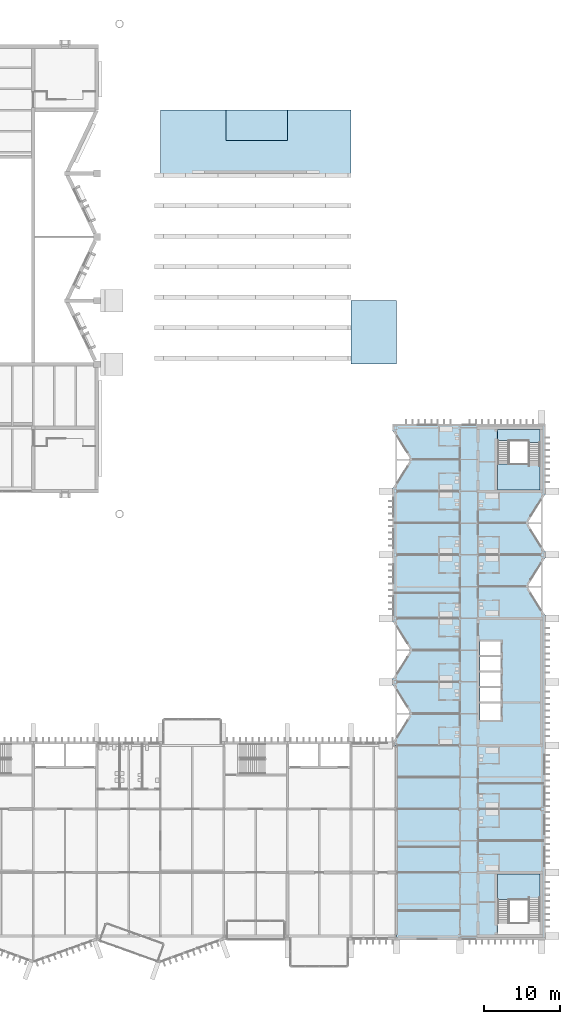
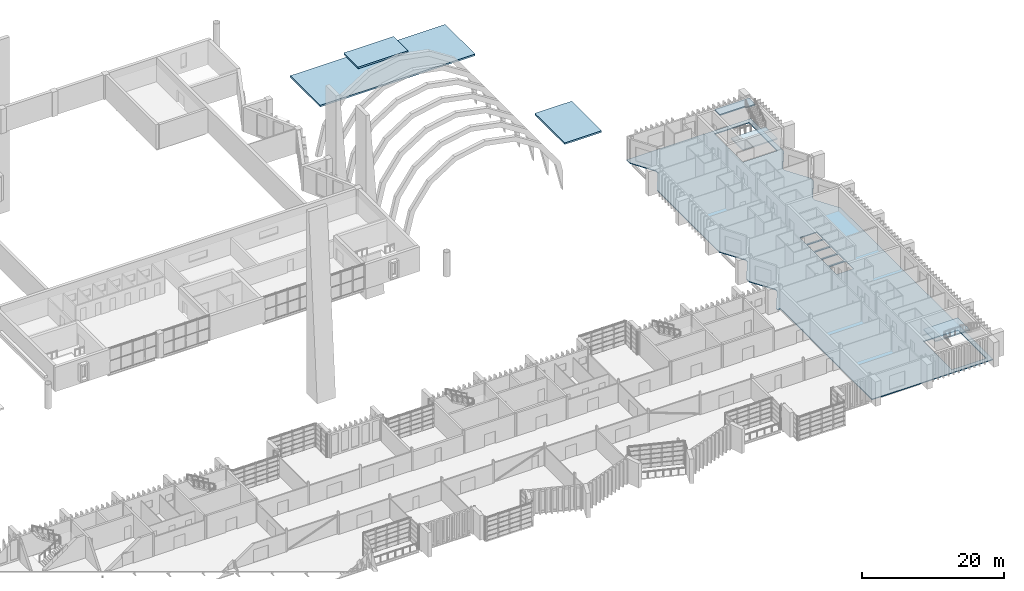
# One storey, part 52 of 88: 7 slabs, 2 elements without a shape of their own.
"""IFC4 building model written with IfcOpenShell, lengths in metres."""

import ifcopenshell
import ifcopenshell.guid

model = None  # the IFC model being written
_history = None  # IfcOwnerHistory: only IFC2X3 demands one
_inside = {}  # id of a spatial element -> (the spatial element, [elements in it])
_under = {}  # id of a project, library or spatial element -> (it, [spatial elements below it])
_declared = {}  # id of a project -> (the project, [libraries it declares])
_typed = {}  # id of a type object -> (the type object, [elements of that type])
_made_of = {}  # id of a material, layer set ... -> (it, [elements and type objects made of it])


def new_model(schema):
    """Start an empty IFC model of exactly this schema.

    Asked for "IFC4X3", IfcOpenShell would pick the latest addendum, in which some entities
    have other attributes; the version numbers below select the first issue.
    IFC2X3 requires an IfcOwnerHistory on every rooted entity: one is made here for all.
    """
    global model, _history
    if schema == "IFC4X3":
        model = ifcopenshell.file(schema_version=(4, 3, 0, 0))
    else:
        model = ifcopenshell.file(schema=schema)
    _inside.clear()
    _under.clear()
    _declared.clear()
    _typed.clear()
    _made_of.clear()
    _history = None
    if model.schema == "IFC2X3":
        org = make("IfcOrganization", Name="unknown")
        user = make(
            "IfcPersonAndOrganization",
            ThePerson=make("IfcPerson", FamilyName="unknown"),
            TheOrganization=org,
        )
        app = make(
            "IfcApplication",
            ApplicationDeveloper=org,
            Version="unknown",
            ApplicationFullName="unknown",
            ApplicationIdentifier="unknown",
        )
        _history = make(
            "IfcOwnerHistory",
            OwningUser=user,
            OwningApplication=app,
            ChangeAction="ADDED",
            CreationDate=0,
        )
    return model


def make(cls, **values):
    """One entity of the class cls with the attributes given. An attribute that is None is left unset."""
    return model.create_entity(
        cls, **{name: value for name, value in values.items() if value is not None}
    )


def rooted(cls, **values):
    """An entity with a GlobalId (a new one), such as an element, a storey or a relation."""
    return make(cls, GlobalId=ifcopenshell.guid.new(), OwnerHistory=_history, **values)


def si_unit(unit_type, name, prefix=None):
    """IfcSIUnit, for example si_unit("LENGTHUNIT", "METRE", prefix="MILLI")."""
    return make("IfcSIUnit", UnitType=unit_type, Prefix=prefix, Name=name)


def assignment(units):
    """IfcUnitAssignment: the units of a project."""
    return None if units is None else make("IfcUnitAssignment", Units=units)


def point(xyz):
    """IfcCartesianPoint."""
    return None if xyz is None else make("IfcCartesianPoint", Coordinates=xyz)


def direction(xyz):
    """IfcDirection."""
    return None if xyz is None else make("IfcDirection", DirectionRatios=xyz)


def frame(location, z_axis=None, x_axis=None):
    """IfcAxis2Placement3D, a coordinate frame: its origin and axes. An axis left out is left unset."""
    return make(
        "IfcAxis2Placement3D",
        Location=point(location),
        Axis=direction(z_axis),
        RefDirection=direction(x_axis),
    )


def origin():
    """The frame at (0, 0, 0) with its axes left unset."""
    return frame((0.0, 0.0, 0.0))


def place(relative_to, where):
    """IfcLocalPlacement: puts the frame where relative to a parent placement (None: the world)."""
    return make(
        "IfcLocalPlacement", PlacementRelTo=relative_to, RelativePlacement=where
    )


def context(
    kind, dimensions, precision=None, world=None, true_north=None, identifier=None
):
    """IfcGeometricRepresentationContext, for example the 3D "Model" context."""
    return make(
        "IfcGeometricRepresentationContext",
        ContextIdentifier=identifier,
        ContextType=kind,
        CoordinateSpaceDimension=dimensions,
        Precision=precision,
        WorldCoordinateSystem=world,
        TrueNorth=true_north,
    )


def subcontext(parent, identifier, kind, view, scale=None):
    """IfcGeometricRepresentationSubContext, for example "Body" below "Model"."""
    return make(
        "IfcGeometricRepresentationSubContext",
        ContextIdentifier=identifier,
        ContextType=kind,
        ParentContext=parent,
        TargetScale=scale,
        TargetView=view,
    )


def project(units=None, contexts=None):
    """IfcProject with its units and contexts."""
    return rooted(
        "IfcProject",
        Name="project",
        RepresentationContexts=contexts,
        UnitsInContext=assignment(units),
    )


def spatial(cls, under=None, at=None, **own):
    """A site, building, storey or space (cls), placed at a placement, below another one or the project."""
    s = rooted(cls, ObjectPlacement=at, **own)
    if under is not None:
        _under.setdefault(under.id(), (under, []))[1].append(s)
    return s


def polyline(points):
    """IfcPolyline through the points."""
    return make("IfcPolyline", Points=[point(p) for p in points])


def outline(outer, holes=None, kind="AREA"):
    """IfcArbitraryClosedProfileDef: a profile drawn as a closed curve; with holes, ...WithVoids."""
    if holes is None:
        return make("IfcArbitraryClosedProfileDef", ProfileType=kind, OuterCurve=outer)
    return make(
        "IfcArbitraryProfileDefWithVoids",
        ProfileType=kind,
        OuterCurve=outer,
        InnerCurves=holes,
    )


def extrude(swept, where, along, depth):
    """IfcExtrudedAreaSolid: the profile swept, set in the frame where, extruded along a direction by depth."""
    return make(
        "IfcExtrudedAreaSolid",
        SweptArea=swept,
        Position=where,
        ExtrudedDirection=direction(along),
        Depth=depth,
    )


def shape(context_of_items, identifier, shape_type, items):
    """IfcShapeRepresentation: the items that make up one representation, for example the "Body"."""
    return make(
        "IfcShapeRepresentation",
        ContextOfItems=context_of_items,
        RepresentationIdentifier=identifier,
        RepresentationType=shape_type,
        Items=items,
    )


def material(Name=None, Category=None):
    """IfcMaterial."""
    return make("IfcMaterial", Name=Name, Category=Category)


def layer(
    of_material, thickness, ventilated=None, Name=None, Category=None, Priority=None
):
    """IfcMaterialLayer: one layer of a wall or slab, of a material (None: an air gap)."""
    return make(
        "IfcMaterialLayer",
        Material=of_material,
        LayerThickness=thickness,
        IsVentilated=ventilated,
        Name=Name,
        Category=Category,
        Priority=Priority,
    )


def layer_set(layers, Name=None):
    """IfcMaterialLayerSet."""
    return make("IfcMaterialLayerSet", MaterialLayers=layers, LayerSetName=Name)


def made_of(thing, what):
    """Note that an element or type object is made of a material, layer set ...; save() writes the relation."""
    if what is not None:
        _made_of.setdefault(what.id(), (what, []))[1].append(thing)
    return thing


def type_object(cls, material=None, **own):
    """A type object (cls), such as IfcWallType, which elements share."""
    return made_of(rooted(cls, **own), material)


def element(
    cls,
    number,
    at=None,
    inside=None,
    cuts=None,
    type_object=None,
    material=None,
    context=None,
    identifier="Body",
    shape_type=None,
    held_by="IfcProductDefinitionShape",
    body=None,
    shapes=None,
    **own,
):
    """One element of the class cls, such as IfcWall. Its Tag is "e" and its number.

    at: its placement. inside: the storey or other place that contains it. cuts: it is an
    opening in that element (IfcRelVoidsElement). A single representation is given by context,
    identifier, shape_type and body (its items); several are given by shapes. held_by: the class
    of the entity that holds the representations. save() writes the other relations.
    """
    e = rooted(cls, Tag="e%d" % number, ObjectPlacement=at, **own)
    if body is not None:
        shapes = [shape(context, identifier, shape_type, body)]
    if shapes is not None:
        e.Representation = make(held_by, Representations=shapes)
    if inside is not None:
        _inside.setdefault(inside.id(), (inside, []))[1].append(e)
    if cuts is not None:
        rooted(
            "IfcRelVoidsElement", RelatingBuildingElement=cuts, RelatedOpeningElement=e
        )
    if type_object is not None:
        _typed.setdefault(type_object.id(), (type_object, []))[1].append(e)
    return made_of(e, material)


def aggregate(whole, parts):
    """IfcRelAggregates: a whole, such as a stair, and the parts it consists of."""
    return rooted("IfcRelAggregates", RelatingObject=whole, RelatedObjects=parts)


def save(model, path):
    """Write the relations noted so far, then the file.

    IfcRelAggregates (storeys below a building ...), IfcRelContainedInSpatialStructure (elements
    in a storey), IfcRelDefinesByType, IfcRelAssociatesMaterial and IfcRelDeclares: one each for
    every whole, place, type object, material and project.
    """
    for whole, parts in _under.values():
        aggregate(whole, parts)
    for where, things in _inside.values():
        rooted(
            "IfcRelContainedInSpatialStructure",
            RelatedElements=things,
            RelatingStructure=where,
        )
    for kind, things in _typed.values():
        rooted("IfcRelDefinesByType", RelatedObjects=things, RelatingType=kind)
    for what, things in _made_of.values():
        rooted("IfcRelAssociatesMaterial", RelatedObjects=things, RelatingMaterial=what)
    for by, libraries in _declared.values():
        rooted("IfcRelDeclares", RelatingContext=by, RelatedDefinitions=libraries)
    model.write(path)


model = new_model("IFC4")

# Units and contexts
model_context = context("Model", 3, precision=1e-05, world=origin(), true_north=direction((0.0, 1.0)))
body_context = subcontext(model_context, "Body", "Model", "MODEL_VIEW")
ifc_project = project(units=[si_unit("LENGTHUNIT", "METRE"), si_unit("AREAUNIT", "SQUARE_METRE"), si_unit("VOLUMEUNIT", "CUBIC_METRE"), si_unit("PLANEANGLEUNIT", "RADIAN"), si_unit("MASSUNIT", "GRAM", prefix="KILO")], contexts=[model_context])

# Site, building, storey
site_placement = place(None, origin())
site = spatial("IfcSite", under=ifc_project, at=site_placement, CompositionType="ELEMENT")
building_placement = place(site_placement, origin())
building = spatial("IfcBuilding", under=site, at=building_placement, Name="Cresset Court Congress Hotel", CompositionType="ELEMENT")
storey_placement = place(building_placement, frame((0.0, 0.0, 14.39990234375)))
storey = spatial("IfcBuildingStorey", under=building, at=storey_placement, Name="L03", CompositionType="ELEMENT", Elevation=14.39990234375)

# Slabs
ifc_material_1 = material(Name="Concrete C35", Category="concrete")
ifc_layer_1 = layer(ifc_material_1, 0.14990234375)
ifc_layer_set_1 = layer_set([ifc_layer_1], Name="Composite floor slab 150")
slab_type_1 = type_object("IfcSlabType", Name="Composite floor slab 150", PredefinedType="FLOOR", material=ifc_layer_set_1)
slab_1_placement = place(storey_placement, frame((0.0, 0.0, -0.14990234375)))
element("IfcSlab", 1, at=slab_1_placement, inside=storey, type_object=slab_type_1, Name="A.slab.L03", PredefinedType="FLOOR", context=body_context, shape_type="SweptSolid", body=[
    extrude(outline(polyline([(157.199951171875, -0.5), (176.89990234375, -0.5), (176.89990234375, 42.39013671875), (174.665283203125, 45.97509765625), (174.665283203125, 46.425048828125), (176.89990234375, 50.010009765625), (176.89990234375, 50.7900390625), (174.665283203125, 54.375), (174.665283203125, 54.824951171875), (176.89990234375, 58.409912109375), (176.89990234375, 67.699951171875), (156.699951171875, 67.699951171875), (156.699951171875, 66.809814453125), (158.934814453125, 63.22509765625), (158.934814453125, 62.77490234375), (156.699951171875, 59.190185546875), (156.699951171875, 41.60986328125), (158.934814453125, 38.02490234375), (158.934814453125, 37.574951171875), (156.699951171875, 33.989990234375), (156.699951171875, 33.2099609375), (158.934814453125, 29.625), (158.934814453125, 29.175048828125), (156.699951171875, 25.590087890625), (156.699951171875, 25.199951171875), (157.199951171875, 25.199951171875), (157.199951171875, -0.5)]), holes=[polyline([(170.60009765625, 0.199951171875), (176.199951171875, 0.199951171875), (176.199951171875, 8.199951171875), (170.60009765625, 8.199951171875), (170.60009765625, 0.199951171875)]), polyline([(170.60009765625, 59.0), (176.199951171875, 59.0), (176.199951171875, 67.0), (170.60009765625, 67.0), (170.60009765625, 59.0)]), polyline([(168.25, 28.550048828125), (171.0, 28.550048828125), (171.0, 30.75), (168.25, 30.75), (168.25, 28.550048828125)]), polyline([(168.25, 31.0), (171.0, 31.0), (171.0, 32.800048828125), (168.25, 32.800048828125), (168.25, 31.0)]), polyline([(168.25, 33.050048828125), (171.0, 33.050048828125), (171.0, 34.85009765625), (168.25, 34.85009765625), (168.25, 33.050048828125)]), polyline([(168.25, 35.10009765625), (171.0, 35.10009765625), (171.0, 36.89990234375), (168.25, 36.89990234375), (168.25, 35.10009765625)]), polyline([(168.25, 37.14990234375), (171.0, 37.14990234375), (171.0, 38.949951171875), (168.25, 38.949951171875), (168.25, 37.14990234375)])]), origin(), (0.0, 0.0, 1.0), 0.14990234375),
])
ifc_material_2 = material(Name="Concrete C35", Category="concrete")
ifc_layer_2 = layer(ifc_material_2, 0.280029296875)
ifc_layer_set_2 = layer_set([ifc_layer_2], Name="RC roof plate 280 C35")
slab_type_2 = type_object("IfcSlabType", Name="RC roof plate 280 C35", PredefinedType="ROOF", material=ifc_layer_set_2)
slab_2_placement = place(storey_placement, frame((0.0, 0.0, -0.27978515625)))
element("IfcSlab", 2, at=slab_2_placement, inside=storey, type_object=slab_type_2, Name="Spa roof plate north", PredefinedType="ROOF", context=body_context, shape_type="SweptSolid", body=[
    extrude(outline(polyline([(126.0, 100.800048828125), (151.199951171875, 100.800048828125), (151.199951171875, 109.199951171875), (126.0, 109.199951171875), (126.0, 100.800048828125)])), origin(), (0.0, 0.0, 1.0), 0.27978515625),
])
slab_3_placement = place(storey_placement, frame((0.0, 0.0, -0.27978515625)))
element("IfcSlab", 3, at=slab_3_placement, inside=storey, type_object=slab_type_2, Name="Spa roof plate stair", PredefinedType="ROOF", context=body_context, shape_type="SweptSolid", body=[
    extrude(outline(polyline([(151.199951171875, 75.60009765625), (157.199951171875, 75.60009765625), (157.199951171875, 84.0), (151.199951171875, 84.0), (151.199951171875, 75.60009765625)])), origin(), (0.0, 0.0, 1.0), 0.27978515625),
])
slab_4_placement = place(storey_placement, frame((0.0, 0.0, 0.60009765625)))
element("IfcSlab", 4, at=slab_4_placement, inside=storey, type_object=slab_type_2, Name="Lift overrun roof", PredefinedType="ROOF", context=body_context, shape_type="SweptSolid", body=[
    extrude(outline(polyline([(134.699951171875, 105.14990234375), (142.800048828125, 105.14990234375), (142.800048828125, 109.199951171875), (134.699951171875, 109.199951171875), (134.699951171875, 105.14990234375)])), origin(), (0.0, 0.0, 1.0), 0.280029296875),
])

# Stair, slab
ifc_material_3 = material(Name="Concrete C40", Category="concrete")
stair_type = type_object("IfcStairType", Name="Concrete dog-leg stair 5600", PredefinedType="HALF_TURN_STAIR", material=ifc_material_3)
stair_1_placement = place(storey_placement, origin())
stair_1 = element("IfcStair", 5, at=stair_1_placement, inside=storey, type_object=stair_type, Name="Stair A1 L03", PredefinedType="HALF_TURN_STAIR")
ifc_material_4 = material(Name="Concrete C40", Category="concrete")
ifc_layer_3 = layer(ifc_material_4, 0.199951171875)
ifc_layer_set_3 = layer_set([ifc_layer_3], Name="Stair landing 200")
slab_type_3 = type_object("IfcSlabType", Name="Stair landing 200", PredefinedType="LANDING", material=ifc_layer_set_3)
slab_5_placement = place(storey_placement, frame((0.0, 0.0, 1.900146484375)))
slab_5 = element("IfcSlab", 6, at=slab_5_placement, type_object=slab_type_3, Name="A-ST1 landing 1", PredefinedType="LANDING", context=body_context, shape_type="SweptSolid", body=[
    extrude(outline(polyline([(170.60009765625, 4.819091796875), (176.199951171875, 4.819091796875), (176.199951171875, 8.199951171875), (170.60009765625, 8.199951171875), (170.60009765625, 4.819091796875)])), origin(), (0.0, 0.0, 1.0), 0.199951171875),
])
aggregate(stair_1, [slab_5])

# Stair, slabs
stair_2_placement = place(storey_placement, origin())
stair_2 = element("IfcStair", 7, at=stair_2_placement, inside=storey, type_object=stair_type, Name="Stair A2 L03", PredefinedType="HALF_TURN_STAIR")
slab_6_placement = place(storey_placement, frame((0.0, 0.0, 1.900146484375)))
slab_6 = element("IfcSlab", 8, at=slab_6_placement, type_object=slab_type_3, Name="A-ST1 landing 1", PredefinedType="LANDING", context=body_context, shape_type="SweptSolid", body=[
    extrude(outline(polyline([(170.60009765625, 62.380859375), (176.199951171875, 62.380859375), (176.199951171875, 59.0), (170.60009765625, 59.0), (170.60009765625, 62.380859375)])), origin(), (0.0, 0.0, 1.0), 0.199951171875),
])
slab_7_placement = place(storey_placement, frame((0.0, 0.0, 4.0)))
slab_7 = element("IfcSlab", 9, at=slab_7_placement, type_object=slab_type_3, Name="A-ST1 landing 2", PredefinedType="LANDING", context=body_context, shape_type="SweptSolid", body=[
    extrude(outline(polyline([(170.60009765625, 67.0), (176.199951171875, 67.0), (176.199951171875, 65.2392578125), (174.699951171875, 65.2392578125), (174.699951171875, 65.499267578125), (170.60009765625, 65.499267578125), (170.60009765625, 67.0)])), origin(), (0.0, 0.0, 1.0), 0.2001953125),
])
aggregate(stair_2, [slab_6, slab_7])

save(model, "model.ifc")
